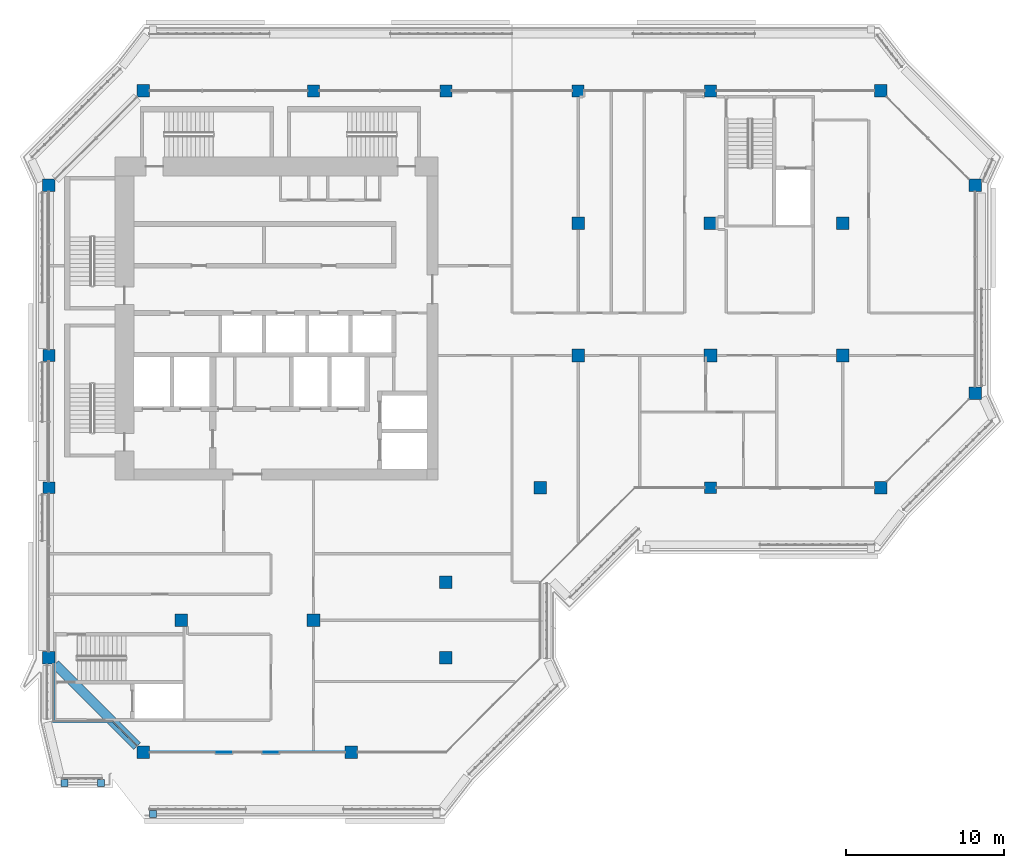
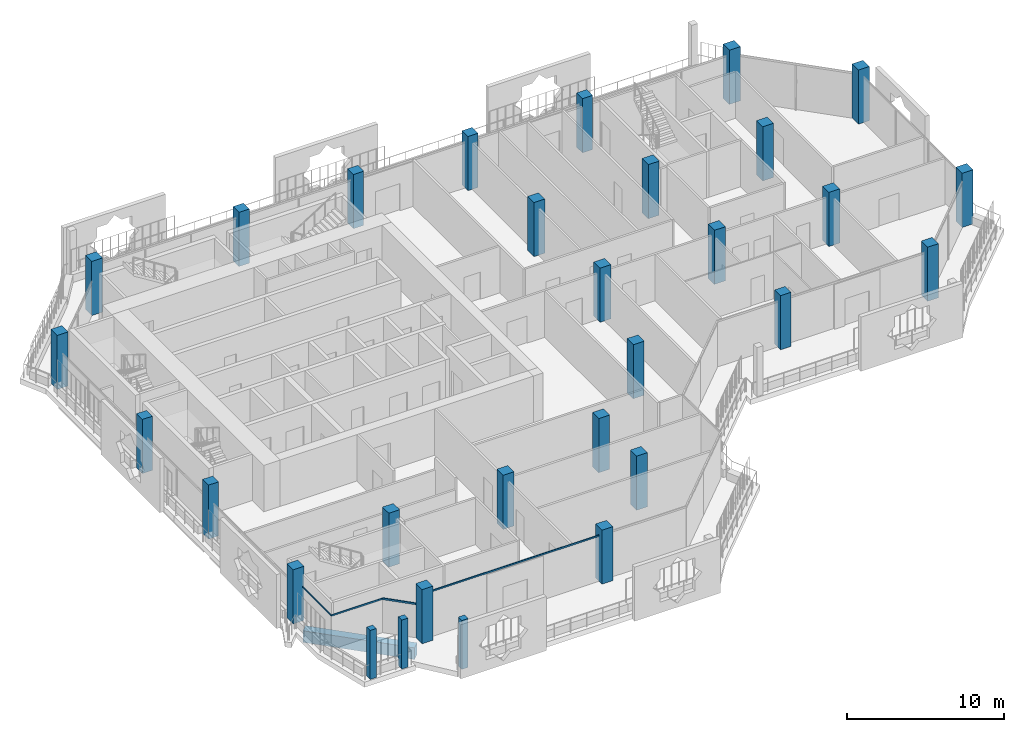
# One storey, part 1 of 21: 27 columns, 7 members, 1 beam, 5 elements without a shape of their own.
"""IFC4 building model written with IfcOpenShell, lengths in metres."""

from ifc_helpers import new_model, si_unit, direction, frame, origin, origin_2d, place, context, subcontext, project, spatial, rectangle, extrude, material, layer, layer_set, material_profile, profile_set, type_object, element, aggregate, save


model = new_model("IFC4")

# Units and contexts
model_context = context("Model", 3, precision=1e-05, world=origin(), true_north=direction((0.0, 1.0)))
body_context = subcontext(model_context, "Body", "Model", "MODEL_VIEW")
ifc_project = project(units=[si_unit("LENGTHUNIT", "METRE"), si_unit("AREAUNIT", "SQUARE_METRE"), si_unit("VOLUMEUNIT", "CUBIC_METRE"), si_unit("PLANEANGLEUNIT", "RADIAN"), si_unit("MASSUNIT", "GRAM", prefix="KILO")], contexts=[model_context])

# Site, building, storey
site_placement = place(None, origin())
site = spatial("IfcSite", under=ifc_project, at=site_placement, CompositionType="ELEMENT")
building_placement = place(site_placement, origin())
building = spatial("IfcBuilding", under=site, at=building_placement, Name="Kawkab Arch Medical Tower", CompositionType="ELEMENT")
storey_placement = place(building_placement, frame((0.0, 0.0, 319.60009765625)))
storey = spatial("IfcBuildingStorey", under=building, at=storey_placement, Name="L74", CompositionType="ELEMENT", Elevation=319.60009765625)

# Columns
ifc_material_1 = material(Name="Concrete C40/50", Category="concrete")
ifc_material_profile_1 = material_profile(ifc_material_1, rectangle(XDim=0.75, YDim=0.75, at=origin_2d()), Name="RC 750x750")
ifc_profile_set_1 = profile_set([ifc_material_profile_1], Name="Concrete C40/50")
column_type_1 = type_object("IfcColumnType", Name="RC 750x750 column C40/50", PredefinedType="COLUMN", material=ifc_profile_set_1)
for number, where, z_axis, x_axis, name in (
    (1, (16.800048828125, 0.0, 0.0), (0.0, 0.0, 1.0), (1.0, 0.0, 0.0), "Column RC 750x750"),
    (2, (25.199951171875, 0.0, 0.0), (0.0, 0.0, 1.0), (1.0, 0.0, 0.0), "Column RC 750x750"),
    (3, (33.60009765625, 0.0, 0.0), (0.0, 0.0, 1.0), (1.0, 0.0, 0.0), "Column RC 750x750"),
    (4, (42.0, 0.0, 0.0), (0.0, 0.0, 1.0), (1.0, 0.0, 0.0), "Column RC 750x750"),
    (5, (0.0, -16.800048828125, 0.0), (0.0, 0.0, 1.0), (1.0, 0.0, 0.0), "Column RC 750x750"),
    (6, (0.0, -25.199951171875, 0.0), (0.0, 0.0, 1.0), (1.0, 0.0, 0.0), "Column RC 750x750"),
    (7, (42.0, -25.199951171875, 0.0), (0.0, 0.0, 1.0), (1.0, 0.0, 0.0), "Column RC 750x750"),
):
    element("IfcColumn", number, at=place(storey_placement, frame(where, z_axis=z_axis, x_axis=x_axis)), inside=storey, type_object=column_type_1, Name=name, PredefinedType="COLUMN", context=body_context, shape_type="SweptSolid", body=[
        extrude(rectangle(XDim=0.75, YDim=0.75, at=origin_2d()), origin(), (0.0, 0.0, 1.0), 4.199951171875),
    ])
ifc_material_2 = material(Name="Concrete C40/50", Category="concrete")
ifc_material_profile_2 = material_profile(ifc_material_2, rectangle(XDim=0.800048828125, YDim=0.800048828125, at=origin_2d()), Name="RC 800x800")
ifc_profile_set_2 = profile_set([ifc_material_profile_2], Name="Concrete C40/50")
column_type_2 = type_object("IfcColumnType", Name="RC 800x800 column C40/50", PredefinedType="COLUMN", material=ifc_profile_set_2)
for number, where, z_axis, x_axis, name in (
    (8, (6.0, 0.0, 0.0), (0.0, 0.0, 1.0), (1.0, 0.0, 0.0), "Column RC 800x800"),
    (9, (52.800048828125, 0.0, 0.0), (0.0, 0.0, 1.0), (1.0, 0.0, 0.0), "Column RC 800x800"),
    (10, (0.0, -6.0, 0.0), (0.0, 0.0, 1.0), (1.0, 0.0, 0.0), "Column RC 800x800"),
    (11, (58.800048828125, -6.0, 0.0), (0.0, 0.0, 1.0), (1.0, 0.0, 0.0), "Column RC 800x800"),
    (12, (33.60009765625, -8.39990234375, 0.0), (0.0, 0.0, 1.0), (1.0, 0.0, 0.0), "Column RC 800x800"),
    (13, (42.0, -8.39990234375, 0.0), (0.0, 0.0, 1.0), (1.0, 0.0, 0.0), "Column RC 800x800"),
    (14, (50.39990234375, -8.39990234375, 0.0), (0.0, 0.0, 1.0), (1.0, 0.0, 0.0), "Column RC 800x800"),
    (15, (33.60009765625, -16.800048828125, 0.0), (0.0, 0.0, 1.0), (1.0, 0.0, 0.0), "Column RC 800x800"),
    (16, (42.0, -16.800048828125, 0.0), (0.0, 0.0, 1.0), (1.0, 0.0, 0.0), "Column RC 800x800"),
    (17, (50.39990234375, -16.800048828125, 0.0), (0.0, 0.0, 1.0), (1.0, 0.0, 0.0), "Column RC 800x800"),
    (18, (58.800048828125, -19.199951171875, 0.0), (0.0, 0.0, 1.0), (1.0, 0.0, 0.0), "Column RC 800x800"),
    (19, (31.199951171875, -25.199951171875, 0.0), (0.0, 0.0, 1.0), (1.0, 0.0, 0.0), "Column RC 800x800"),
    (20, (52.800048828125, -25.199951171875, 0.0), (0.0, 0.0, 1.0), (1.0, 0.0, 0.0), "Column RC 800x800"),
    (21, (25.199951171875, -31.199951171875, 0.0), (0.0, 0.0, 1.0), (1.0, 0.0, 0.0), "Column RC 800x800"),
    (22, (8.39990234375, -33.60009765625, 0.0), (0.0, 0.0, 1.0), (1.0, 0.0, 0.0), "Column RC 800x800"),
    (23, (16.800048828125, -33.60009765625, 0.0), (0.0, 0.0, 1.0), (1.0, 0.0, 0.0), "Column RC 800x800"),
    (24, (0.0, -36.0, 0.0), (0.0, 0.0, 1.0), (1.0, 0.0, 0.0), "Column RC 800x800"),
    (25, (25.199951171875, -36.0, 0.0), (0.0, 0.0, 1.0), (1.0, 0.0, 0.0), "Column RC 800x800"),
    (26, (6.0, -42.0, 0.0), (0.0, 0.0, 1.0), (1.0, 0.0, 0.0), "Column RC 800x800"),
    (27, (19.199951171875, -42.0, 0.0), (0.0, 0.0, 1.0), (1.0, 0.0, 0.0), "Column RC 800x800"),
):
    element("IfcColumn", number, at=place(storey_placement, frame(where, z_axis=z_axis, x_axis=x_axis)), inside=storey, type_object=column_type_2, Name=name, PredefinedType="COLUMN", context=body_context, shape_type="SweptSolid", body=[
        extrude(rectangle(XDim=0.800048828125, YDim=0.800048828125, at=origin_2d()), origin(), (0.0, 0.0, 1.0), 4.199951171875),
    ])

# Curtain wall, member
ifc_material_3 = material(Name="Bronze anodised aluminium curtain wall frame", Category="aluminium")
ifc_layer_1 = layer(ifc_material_3, 0.159912109375)
ifc_layer_set_1 = layer_set([ifc_layer_1], Name="Bronze anodised aluminium curtain wall frame")
curtain_wall_type_1 = type_object("IfcCurtainWallType", Name="CW1 ward curtain wall", PredefinedType="NOTDEFINED", material=ifc_layer_set_1)
placement = place(storey_placement, origin())
curtain_wall_1 = element("IfcCurtainWall", 28, at=placement, inside=storey, type_object=curtain_wall_type_1, Name="CW1 Ward curtain wall R04", PredefinedType="NOTDEFINED")
ifc_material_4 = material(Name="Bronze anodised aluminium curtain wall frame", Category="aluminium")
ifc_material_profile_3 = material_profile(ifc_material_4, rectangle(XDim=0.06005859375, YDim=0.1201171875, at=origin_2d()), Name="AL 60x120")
ifc_profile_set_3 = profile_set([ifc_material_profile_3], Name="Bronze anodised aluminium curtain wall frame")
member_type_1 = type_object("IfcMemberType", Name="CW1 transom 120 x 60", PredefinedType="USERDEFINED", material=ifc_profile_set_3)
member_1_placement = place(storey_placement, frame((0.300048828125, -36.39990234375, 2.639892578125), z_axis=(0.0, -1.0, 0.0), x_axis=(1.0, 0.0, 0.0)))
member_1 = element("IfcMember", 29, at=member_1_placement, type_object=member_type_1, Name="CW1 transom 1", ObjectType="TRANSOM", PredefinedType="USERDEFINED", context=body_context, shape_type="SweptSolid", body=[
    extrude(rectangle(XDim=0.06005859375, YDim=0.1201171875, at=origin_2d()), origin(), (0.0, 0.0, 1.0), 3.650146484375),
])
aggregate(curtain_wall_1, [member_1])

curtain_wall_2 = element("IfcCurtainWall", 30, at=placement, inside=storey, type_object=curtain_wall_type_1, Name="CW1 Ward curtain wall R05", PredefinedType="NOTDEFINED")
member_2_placement = place(storey_placement, frame((0.300048828125, -40.050048828125, 2.639892578125), z_axis=(1.0, 0.0, 0.0), x_axis=(0.0, 1.0, 0.0)))
member_2 = element("IfcMember", 31, at=member_2_placement, type_object=member_type_1, Name="CW1 transom 1", ObjectType="TRANSOM", PredefinedType="USERDEFINED", context=body_context, shape_type="SweptSolid", body=[
    extrude(rectangle(XDim=0.06005859375, YDim=0.1201171875, at=origin_2d()), origin(), (0.0, 0.0, 1.0), 3.75),
])
aggregate(curtain_wall_2, [member_2])

curtain_wall_3 = element("IfcCurtainWall", 32, at=placement, inside=storey, type_object=curtain_wall_type_1, Name="CW1 Ward curtain wall R07", PredefinedType="NOTDEFINED")
member_3_placement = place(storey_placement, frame((6.39990234375, -42.0, 3.539794921875), z_axis=(1.0, 0.0, 0.0), x_axis=(0.0, 1.0, 0.0)))
member_3 = element("IfcMember", 33, at=member_3_placement, type_object=member_type_1, Name="CW1 transom 1", ObjectType="TRANSOM", PredefinedType="USERDEFINED", context=body_context, shape_type="SweptSolid", body=[
    extrude(rectangle(XDim=0.06005859375, YDim=0.1201171875, at=origin_2d()), origin(), (0.0, 0.0, 1.0), 12.400146484375),
])
aggregate(curtain_wall_3, [member_3])

ifc_material_5 = material(Name="Bronze anodised aluminium curtain wall frame", Category="aluminium")
ifc_layer_2 = layer(ifc_material_5, 0.159912109375)
ifc_layer_set_2 = layer_set([ifc_layer_2], Name="Bronze anodised aluminium curtain wall frame")
curtain_wall_type_2 = type_object("IfcCurtainWallType", Name="CW2 chamfer curtain wall", PredefinedType="NOTDEFINED", material=ifc_layer_set_2)
curtain_wall_4 = element("IfcCurtainWall", 34, at=placement, inside=storey, type_object=curtain_wall_type_2, Name="CW2 Chamfer curtain wall R06", PredefinedType="NOTDEFINED")
ifc_material_6 = material(Name="Bronze anodised aluminium curtain wall frame", Category="aluminium")
ifc_material_profile_4 = material_profile(ifc_material_6, rectangle(XDim=0.06005859375, YDim=0.139892578125, at=origin_2d()), Name="AL 60x140")
ifc_profile_set_4 = profile_set([ifc_material_profile_4], Name="Bronze anodised aluminium curtain wall frame")
member_type_2 = type_object("IfcMemberType", Name="CW2 transom 140 x 60", PredefinedType="USERDEFINED", material=ifc_profile_set_4)
member_4_placement = place(storey_placement, frame((4.050048828125, -40.050048828125, 2.6298828125), z_axis=(0.707106781187, -0.707106781187, 0.0), x_axis=(0.707106781187, 0.707106781187, 0.0)))
member_4 = element("IfcMember", 35, at=member_4_placement, type_object=member_type_2, Name="CW2 transom 1", ObjectType="TRANSOM", PredefinedType="USERDEFINED", context=body_context, shape_type="SweptSolid", body=[
    extrude(rectangle(XDim=0.06005859375, YDim=0.139892578125, at=origin_2d()), origin(), (0.0, 0.0, 1.0), 2.192138671875),
])
aggregate(curtain_wall_4, [member_4])

# Curtain wall, members
ifc_material_7 = material(Name="Bronze anodised aluminium climber frame, planted", Category="aluminium")
ifc_layer_3 = layer(ifc_material_7, 0.449951171875)
ifc_layer_set_3 = layer_set([ifc_layer_3], Name="Bronze anodised aluminium climber frame, planted")
curtain_wall_type_3 = type_object("IfcCurtainWallType", Name="Planted climber frame", PredefinedType="NOTDEFINED", material=ifc_layer_set_3)
curtain_wall_5 = element("IfcCurtainWall", 36, at=placement, inside=storey, type_object=curtain_wall_type_3, Name="Planted climber frame L74", PredefinedType="NOTDEFINED")
ifc_material_8 = material(Name="Bronze anodised aluminium climber frame, planted", Category="aluminium")
ifc_material_profile_5 = material_profile(ifc_material_8, rectangle(XDim=0.449951171875, YDim=0.449951171875, at=origin_2d()), Name="Post 450x450")
ifc_profile_set_5 = profile_set([ifc_material_profile_5], Name="Bronze anodised aluminium climber frame, planted")
member_type_3 = type_object("IfcMemberType", Name="Planted climber post 450 x 450", PredefinedType="MULLION", material=ifc_profile_set_5)
member_5_placement = place(storey_placement, frame((3.300048828125, -43.949951171875, 0.0), z_axis=(0.0, 0.0, 1.0), x_axis=(1.0, 0.0, 0.0)))
member_5 = element("IfcMember", 37, at=member_5_placement, type_object=member_type_3, Name="Planted climber post L74.LOG-01-01.1", PredefinedType="MULLION", context=body_context, shape_type="SweptSolid", body=[
    extrude(rectangle(XDim=0.449951171875, YDim=0.449951171875, at=origin_2d()), origin(), (0.0, 0.0, 1.0), 3.7998046875),
])
member_6_placement = place(storey_placement, frame((0.987060546875, -43.949951171875, 0.0), z_axis=(0.0, 0.0, 1.0), x_axis=(1.0, 0.0, 0.0)))
member_6 = element("IfcMember", 38, at=member_6_placement, type_object=member_type_3, Name="Planted climber post L74.LOG-01-01.2", PredefinedType="MULLION", context=body_context, shape_type="SweptSolid", body=[
    extrude(rectangle(XDim=0.449951171875, YDim=0.449951171875, at=origin_2d()), origin(), (0.0, 0.0, 1.0), 3.7998046875),
])
member_7_placement = place(storey_placement, frame((6.596923828125, -45.89990234375, 0.0), z_axis=(0.0, 0.0, 1.0), x_axis=(1.0, 0.0, 0.0)))
member_7 = element("IfcMember", 39, at=member_7_placement, type_object=member_type_3, Name="Planted climber post L74.LOG-01-01.8", PredefinedType="MULLION", context=body_context, shape_type="SweptSolid", body=[
    extrude(rectangle(XDim=0.449951171875, YDim=0.449951171875, at=origin_2d()), origin(), (0.0, 0.0, 1.0), 3.7998046875),
])
aggregate(curtain_wall_5, [member_5, member_6, member_7])

# Beam
ifc_material_9 = material(Name="Concrete C40/50", Category="concrete")
ifc_material_profile_6 = material_profile(ifc_material_9, rectangle(XDim=0.60009765625, YDim=0.89990234375, at=origin_2d()), Name="RC 600x900")
ifc_profile_set_6 = profile_set([ifc_material_profile_6], Name="Concrete C40/50")
beam_type = type_object("IfcBeamType", Name="RC 600x900 beam C40/50", PredefinedType="BEAM", material=ifc_profile_set_6)
beam_placement = place(storey_placement, frame((5.60009765625, -41.60009765625, -1.050048828125), z_axis=(-0.707106781187, 0.707106781187, 0.0), x_axis=(-0.707106781187, -0.707106781187, 0.0)))
element("IfcBeam", 40, at=beam_placement, inside=storey, type_object=beam_type, Name="Overhang edge beam L74-02", PredefinedType="BEAM", context=body_context, shape_type="SweptSolid", body=[
    extrude(rectangle(XDim=0.60009765625, YDim=0.89990234375, at=origin_2d()), origin(), (0.0, 0.0, 1.0), 7.354248046875),
])

save(model, "model.ifc")
